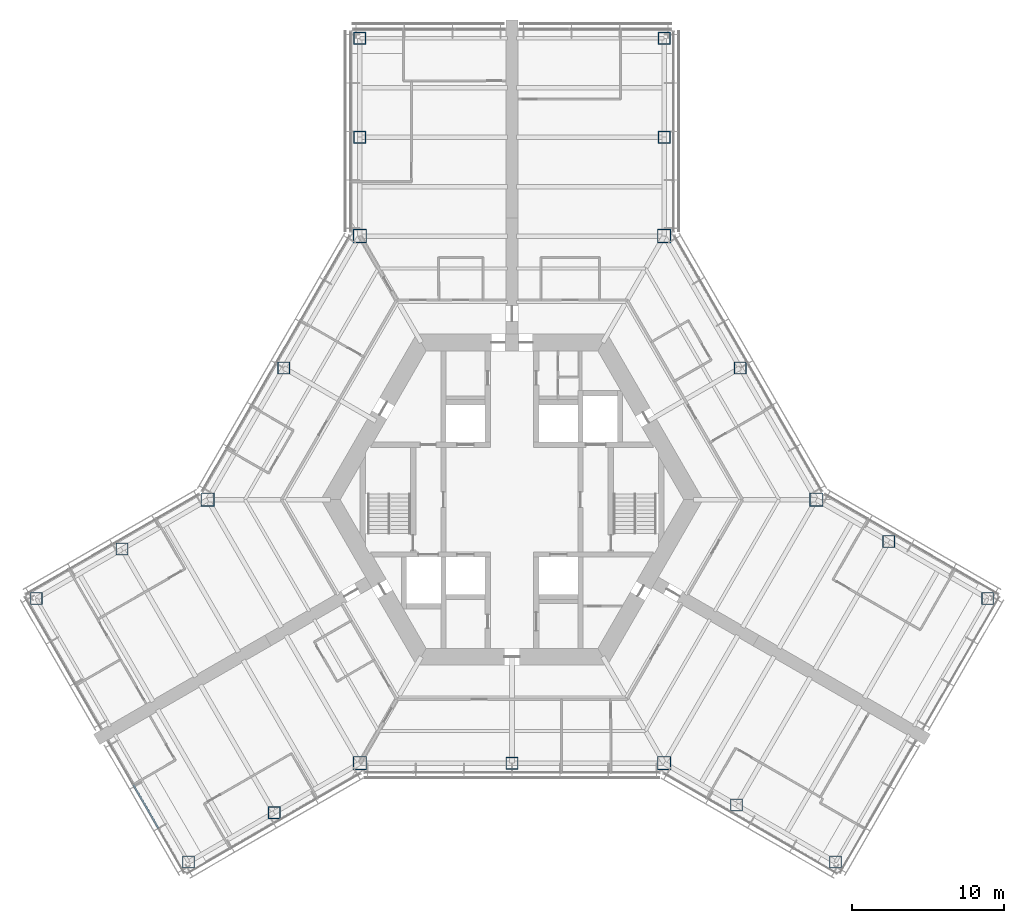
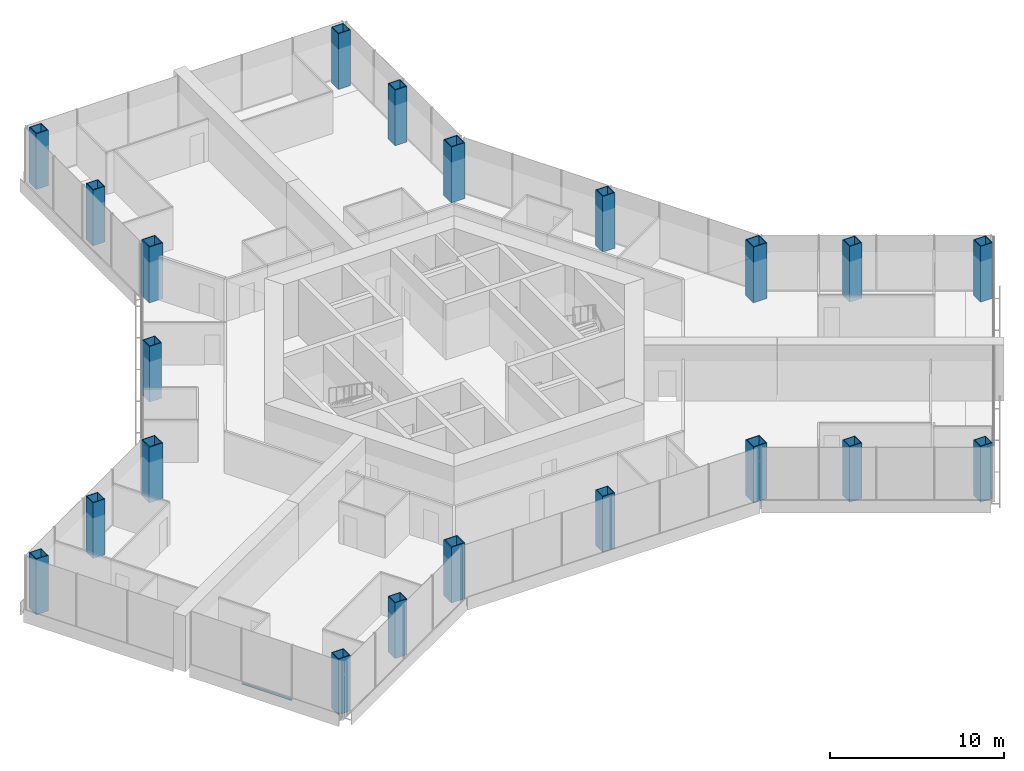
# One storey, part 1 of 18: 21 columns, 1 member, 1 element without a shape of its own.
"""IFC4 building model written with IfcOpenShell, lengths in metres."""

from ifc_helpers import new_model, si_unit, direction, frame, origin, origin_2d, place, context, subcontext, project, spatial, rectangle, hollow_rectangle, extrude, material, material_profile, profile_set, type_object, element, aggregate, save


model = new_model("IFC4")

# Units and contexts
model_context = context("Model", 3, precision=1e-05, world=origin(), true_north=direction((0.0, 1.0)))
body_context = subcontext(model_context, "Body", "Model", "MODEL_VIEW")
ifc_project = project(units=[si_unit("LENGTHUNIT", "METRE"), si_unit("AREAUNIT", "SQUARE_METRE"), si_unit("VOLUMEUNIT", "CUBIC_METRE"), si_unit("PLANEANGLEUNIT", "RADIAN"), si_unit("MASSUNIT", "GRAM", prefix="KILO")], contexts=[model_context])

# Site, building, storey
site_placement = place(None, origin())
site = spatial("IfcSite", under=ifc_project, at=site_placement, CompositionType="ELEMENT")
building_placement = place(site_placement, origin())
building = spatial("IfcBuilding", under=site, at=building_placement, Name="Kasaneha Research Tower", CompositionType="ELEMENT")
storey_placement = place(building_placement, frame((0.0, 0.0, 111.89990234375)))
storey = spatial("IfcBuildingStorey", under=building, at=storey_placement, Name="L28", CompositionType="ELEMENT", Elevation=111.89990234375)

# Columns
ifc_material_1 = material(Name="Steel SN490C", Category="steel")
ifc_material_profile_1 = material_profile(ifc_material_1, hollow_rectangle(XDim=0.89990234375, YDim=0.89990234375, WallThickness=0.054931640625, at=origin_2d()), Name="BOX-900x900x55")
ifc_profile_set_1 = profile_set([ifc_material_profile_1], Name="Steel SN490C")
column_type_1 = type_object("IfcColumnType", Name="C2A column BOX-900x900x55", PredefinedType="COLUMN", material=ifc_profile_set_1)
for number, where, z_axis, x_axis, name in (
    (1, (20.0, 0.0, 0.0), (0.0, 0.0, 1.0), (1.0, 0.0, 0.0), "Column V0 L28"),
    (2, (10.0, 17.320556640625, 0.0), (0.0, 0.0, 1.0), (1.0, 0.0, 0.0), "Column V1 L28"),
    (3, (-10.0, 17.320556640625, 0.0), (0.0, 0.0, 1.0), (1.0, 0.0, 0.0), "Column V2 L28"),
    (4, (-20.0, 0.0, 0.0), (0.0, 0.0, 1.0), (1.0, 0.0, 0.0), "Column V3 L28"),
    (5, (-10.0, -17.320556640625, 0.0), (0.0, 0.0, 1.0), (1.0, 0.0, 0.0), "Column V4 L28"),
    (6, (10.0, -17.320556640625, 0.0), (0.0, 0.0, 1.0), (1.0, 0.0, 0.0), "Column V5 L28"),
):
    element("IfcColumn", number, at=place(storey_placement, frame(where, z_axis=z_axis, x_axis=x_axis)), inside=storey, type_object=column_type_1, Name=name, PredefinedType="COLUMN", context=body_context, shape_type="SweptSolid", body=[
        extrude(hollow_rectangle(XDim=0.89990234375, YDim=0.89990234375, WallThickness=0.054931640625, at=origin_2d()), origin(), (0.0, 0.0, 1.0), 3.900146484375),
    ])
ifc_material_2 = material(Name="Steel SN490C", Category="steel")
ifc_material_profile_2 = material_profile(ifc_material_2, hollow_rectangle(XDim=0.800048828125, YDim=0.800048828125, WallThickness=0.044921875, at=origin_2d()), Name="BOX-800x800x45")
ifc_profile_set_2 = profile_set([ifc_material_profile_2], Name="Steel SN490C")
column_type_2 = type_object("IfcColumnType", Name="C2B column BOX-800x800x45", PredefinedType="COLUMN", material=ifc_profile_set_2)
for number, where, z_axis, x_axis, name in (
    (7, (15.0, 8.66015625, 0.0), (0.0, 0.0, 1.0), (1.0, 0.0, 0.0), "Column M030 L28"),
    (8, (-15.0, 8.66015625, 0.0), (0.0, 0.0, 1.0), (1.0, 0.0, 0.0), "Column M150 L28"),
    (9, (0.0, -17.320556640625, 0.0), (0.0, 0.0, 1.0), (1.0, 0.0, 0.0), "Column M270 L28"),
    (10, (10.0, 23.820556640625, 0.0), (0.0, 0.0, 1.0), (1.0, 0.0, 0.0), "Column ASP L28"),
    (11, (10.0, 30.320556640625, 0.0), (0.0, 0.0, 1.0), (1.0, 0.0, 0.0), "Column ATP L28"),
    (12, (-10.0, 23.820556640625, 0.0), (0.0, 0.0, 1.0), (1.0, 0.0, 0.0), "Column ASN L28"),
    (13, (-10.0, 30.320556640625, 0.0), (0.0, 0.0, 1.0), (1.0, 0.0, 0.0), "Column ATN L28"),
    (14, (-25.629150390625, -3.25, 0.0), (0.0, 0.0, 1.0), (1.0, 0.0, 0.0), "Column BSP L28"),
    (15, (-31.25830078125, -6.5, 0.0), (0.0, 0.0, 1.0), (1.0, 0.0, 0.0), "Column BTP L28"),
    (16, (-15.629150390625, -20.570556640625, 0.0), (0.0, 0.0, 1.0), (1.0, 0.0, 0.0), "Column BSN L28"),
    (17, (-21.25830078125, -23.820556640625, 0.0), (0.0, 0.0, 1.0), (1.0, 0.0, 0.0), "Column BTN L28"),
    (18, (14.76318359375, -20.070556640625, 0.0), (0.0, 0.0, 1.0), (1.0, 0.0, 0.0), "Column CSP L28"),
    (19, (21.25830078125, -23.820556640625, 0.0), (0.0, 0.0, 1.0), (1.0, 0.0, 0.0), "Column CTP L28"),
    (20, (24.76318359375, -2.75, 0.0), (0.0, 0.0, 1.0), (1.0, 0.0, 0.0), "Column CSN L28"),
    (21, (31.25830078125, -6.5, 0.0), (0.0, 0.0, 1.0), (1.0, 0.0, 0.0), "Column CTN L28"),
):
    element("IfcColumn", number, at=place(storey_placement, frame(where, z_axis=z_axis, x_axis=x_axis)), inside=storey, type_object=column_type_2, Name=name, PredefinedType="COLUMN", context=body_context, shape_type="SweptSolid", body=[
        extrude(hollow_rectangle(XDim=0.800048828125, YDim=0.800048828125, WallThickness=0.044921875, at=origin_2d()), origin(), (0.0, 0.0, 1.0), 3.900146484375),
    ])

# Curtain wall, member
ifc_material_3 = material(Name="Glass and aluminium", Category="aluminium")
curtain_wall_type = type_object("IfcCurtainWallType", Name="Low-rise office curtain wall", PredefinedType="USERDEFINED", material=ifc_material_3)
curtain_wall_placement = place(storey_placement, origin())
curtain_wall = element("IfcCurtainWall", 22, at=curtain_wall_placement, inside=storey, type_object=curtain_wall_type, Name="CW-O1 L28 run 15a", ObjectType="UNITISED CURTAIN WALL", PredefinedType="USERDEFINED")
ifc_material_4 = material(Name="Aluminium 6063-T6", Category="aluminium")
ifc_material_profile_3 = material_profile(ifc_material_4, rectangle(XDim=0.1201171875, YDim=0.06005859375, at=origin_2d()), Name="CW-O1 transom 120x60")
ifc_profile_set_3 = profile_set([ifc_material_profile_3], Name="Aluminium 6063-T6")
member_type = type_object("IfcMemberType", Name="CW-O1 transom", PredefinedType="USERDEFINED", material=ifc_profile_set_3)
member_placement = place(storey_placement, frame((-24.879638671875, -18.748291015625, 0.030029296875), z_axis=(0.500014325468, -0.866017132814, 0.0), x_axis=(0.866017132814, 0.500014325468, 0.0)))
member = element("IfcMember", 23, at=member_placement, type_object=member_type, Name="CW-O1 transom 2", ObjectType="TRANSOM", PredefinedType="USERDEFINED", context=body_context, shape_type="SweptSolid", body=[
    extrude(rectangle(XDim=0.1201171875, YDim=0.06005859375, at=origin_2d()), origin(), (0.0, 0.0, 1.0), 3.306640625),
])
aggregate(curtain_wall, [member])

save(model, "model.ifc")
